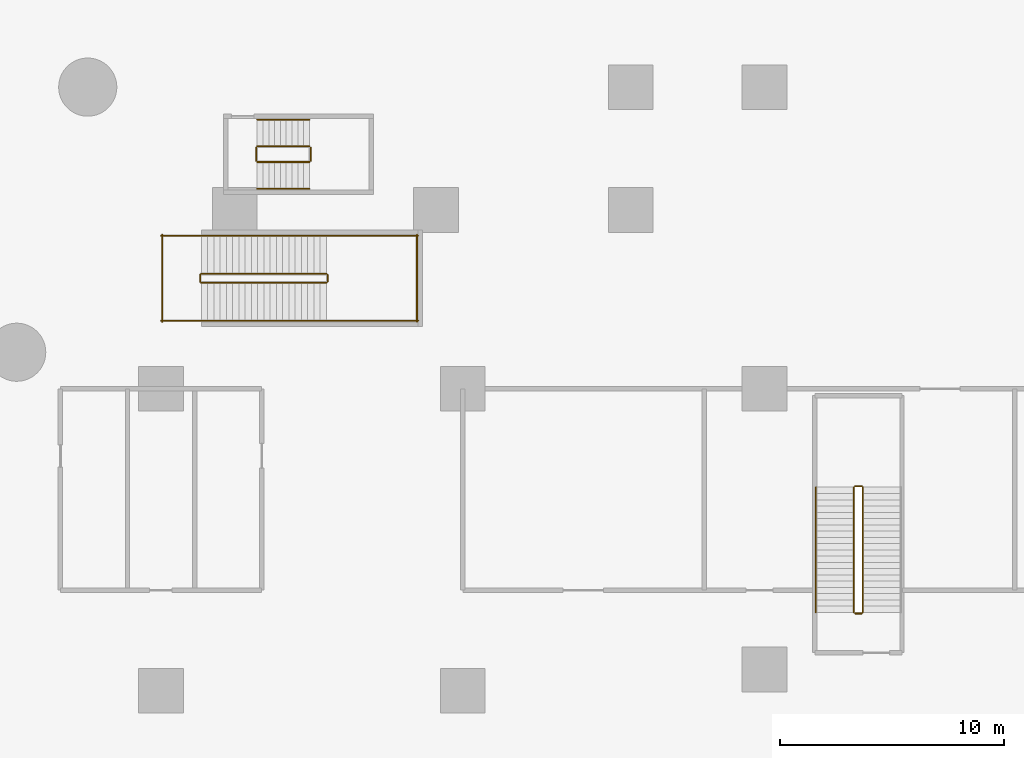
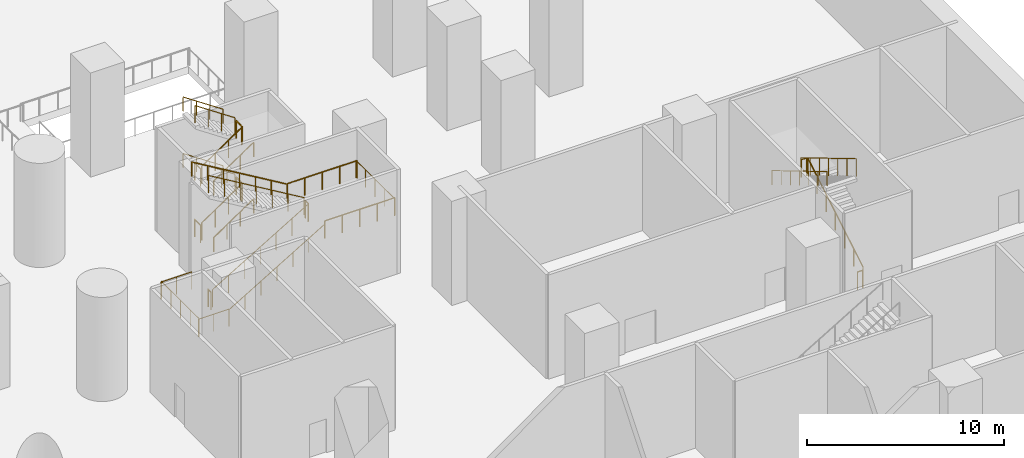
# One storey, part 27 of 37: 29 railings.
"""IFC4 building model written with IfcOpenShell, lengths in metres."""

from ifc_helpers import new_model, si_unit, direction, frame, origin, origin_2d, place, context, subcontext, project, spatial, circle, extrude, material, type_object, element, save


model = new_model("IFC4")

# Units and contexts
model_context = context("Model", 3, precision=1e-05, world=origin(), true_north=direction((0.0, 1.0)))
body_context = subcontext(model_context, "Body", "Model", "MODEL_VIEW")
ifc_project = project(units=[si_unit("LENGTHUNIT", "METRE"), si_unit("AREAUNIT", "SQUARE_METRE"), si_unit("VOLUMEUNIT", "CUBIC_METRE"), si_unit("PLANEANGLEUNIT", "RADIAN"), si_unit("MASSUNIT", "GRAM", prefix="KILO")], contexts=[model_context])

# Site, building, storey
site_placement = place(None, origin())
site = spatial("IfcSite", under=ifc_project, at=site_placement, CompositionType="ELEMENT")
building_placement = place(site_placement, origin())
building = spatial("IfcBuilding", under=site, at=building_placement, Name="Tamarind Cross Interchange Tower", CompositionType="ELEMENT")
storey_placement = place(building_placement, frame((0.0, 0.0, -7.0)))
storey = spatial("IfcBuildingStorey", under=building, at=storey_placement, Name="B1", CompositionType="ELEMENT", Elevation=-7.0)

# Railings
ifc_material_1 = material(Name="Public stair guard")
railing_type_1 = type_object("IfcRailingType", Name="Public stair guard", PredefinedType="GUARDRAIL", material=ifc_material_1)
railing_1_placement = place(storey_placement, frame((28.800048828125, -8.75, 0.166748046875)))
element("IfcRailing", 1, at=railing_1_placement, inside=storey, type_object=railing_type_1, Name="B1 PS-E stair guard 1", PredefinedType="GUARDRAIL", context=body_context, shape_type="SweptSolid", body=[
    extrude(circle(Radius=0.02392578125, at=origin_2d()), frame((0.0, 0.0, 1.076171875), z_axis=(0.859292492371, 0.0, 0.511484518392), x_axis=(0.0, 1.0, 0.0)), (0.0, 0.0, 1.0), 6.516845703125),
    extrude(circle(Radius=0.02099609375, at=origin_2d()), origin(), (0.0, 0.0, 1.0), 1.052001953125),
    extrude(circle(Radius=0.02099609375, at=origin_2d()), frame((0.933349609375, 0.0, 0.5556640625)), (0.0, 0.0, 1.0), 1.052001953125),
    extrude(circle(Radius=0.02099609375, at=origin_2d()), frame((1.86669921875, 0.0, 1.111083984375)), (0.0, 0.0, 1.0), 1.052001953125),
    extrude(circle(Radius=0.02099609375, at=origin_2d()), frame((2.7998046875, 0.0, 1.66650390625)), (0.0, 0.0, 1.0), 1.052001953125),
    extrude(circle(Radius=0.02099609375, at=origin_2d()), frame((3.733154296875, 0.0, 2.22216796875)), (0.0, 0.0, 1.0), 1.052001953125),
    extrude(circle(Radius=0.02099609375, at=origin_2d()), frame((4.66650390625, 0.0, 2.77783203125)), (0.0, 0.0, 1.0), 1.052001953125),
    extrude(circle(Radius=0.02099609375, at=origin_2d()), frame((5.599853515625, 0.0, 3.333251953125)), (0.0, 0.0, 1.0), 1.052001953125),
])
railing_2_placement = place(storey_placement, frame((34.449951171875, -8.699951171875, 3.5)))
element("IfcRailing", 2, at=railing_2_placement, inside=storey, type_object=railing_type_1, Name="B1 PS-E stair guard 2", PredefinedType="GUARDRAIL", context=body_context, shape_type="SweptSolid", body=[
    extrude(circle(Radius=0.02392578125, at=origin_2d()), frame((0.0, 0.0, 1.076171875), z_axis=(0.0, 1.0, 0.0), x_axis=(-1.0, 0.0, 0.0)), (0.0, 0.0, 1.0), 0.300048828125),
    extrude(circle(Radius=0.02099609375, at=origin_2d()), origin(), (0.0, 0.0, 1.0), 1.052001953125),
    extrude(circle(Radius=0.02099609375, at=origin_2d()), frame((0.0, 0.300048828125, 0.0)), (0.0, 0.0, 1.0), 1.052001953125),
])
for number, where, name in (
    (3, (34.39990234375, -10.449951171875, 3.5), "B1 PS-E stair guard 3"),
    (4, (34.39990234375, -6.64990234375, 3.5), "B1 PS-E stair guard 4"),
):
    element("IfcRailing", number, at=place(storey_placement, frame(where)), inside=storey, type_object=railing_type_1, Name=name, PredefinedType="GUARDRAIL", context=body_context, shape_type="SweptSolid", body=[
        extrude(circle(Radius=0.02392578125, at=origin_2d()), frame((0.0, 0.0, 1.076171875), z_axis=(1.0, 0.0, 0.0), x_axis=(0.0, 1.0, 0.0)), (0.0, 0.0, 1.0), 4.10009765625),
        extrude(circle(Radius=0.02099609375, at=origin_2d()), origin(), (0.0, 0.0, 1.0), 1.052001953125),
        extrude(circle(Radius=0.02099609375, at=origin_2d()), frame((1.02490234375, 0.0, 0.0)), (0.0, 0.0, 1.0), 1.052001953125),
        extrude(circle(Radius=0.02099609375, at=origin_2d()), frame((2.050048828125, 0.0, 0.0)), (0.0, 0.0, 1.0), 1.052001953125),
        extrude(circle(Radius=0.02099609375, at=origin_2d()), frame((3.0751953125, 0.0, 0.0)), (0.0, 0.0, 1.0), 1.052001953125),
        extrude(circle(Radius=0.02099609375, at=origin_2d()), frame((4.10009765625, 0.0, 0.0)), (0.0, 0.0, 1.0), 1.052001953125),
    ])
railing_3_placement = place(storey_placement, frame((38.449951171875, -10.5, 3.5)))
element("IfcRailing", 5, at=railing_3_placement, inside=storey, type_object=railing_type_1, Name="B1 PS-E stair guard 5", PredefinedType="GUARDRAIL", context=body_context, shape_type="SweptSolid", body=[
    extrude(circle(Radius=0.02392578125, at=origin_2d()), frame((0.0, 0.0, 1.076171875), z_axis=(0.0, 1.0, 0.0), x_axis=(-1.0, 0.0, 0.0)), (0.0, 0.0, 1.0), 3.89990234375),
    extrude(circle(Radius=0.02099609375, at=origin_2d()), origin(), (0.0, 0.0, 1.0), 1.052001953125),
    extrude(circle(Radius=0.02099609375, at=origin_2d()), frame((0.0, 0.97509765625, 0.0)), (0.0, 0.0, 1.0), 1.052001953125),
    extrude(circle(Radius=0.02099609375, at=origin_2d()), frame((0.0, 1.949951171875, 0.0)), (0.0, 0.0, 1.0), 1.052001953125),
    extrude(circle(Radius=0.02099609375, at=origin_2d()), frame((0.0, 2.9248046875, 0.0)), (0.0, 0.0, 1.0), 1.052001953125),
    extrude(circle(Radius=0.02099609375, at=origin_2d()), frame((0.0, 3.89990234375, 0.0)), (0.0, 0.0, 1.0), 1.052001953125),
])
railing_4_placement = place(storey_placement, frame((34.39990234375, -8.35009765625, 3.666748046875)))
element("IfcRailing", 6, at=railing_4_placement, inside=storey, type_object=railing_type_1, Name="B1 PS-E stair guard 6", PredefinedType="GUARDRAIL", context=body_context, shape_type="SweptSolid", body=[
    extrude(circle(Radius=0.02392578125, at=origin_2d()), frame((0.0, 0.0, 1.076171875), z_axis=(-0.859292492371, 0.0, 0.511484518392), x_axis=(0.0, -1.0, 0.0)), (0.0, 0.0, 1.0), 6.516845703125),
    extrude(circle(Radius=0.02099609375, at=origin_2d()), origin(), (0.0, 0.0, 1.0), 1.052001953125),
    extrude(circle(Radius=0.02099609375, at=origin_2d()), frame((-0.933349609375, 0.0, 0.5556640625)), (0.0, 0.0, 1.0), 1.052001953125),
    extrude(circle(Radius=0.02099609375, at=origin_2d()), frame((-1.86669921875, 0.0, 1.111083984375)), (0.0, 0.0, 1.0), 1.052001953125),
    extrude(circle(Radius=0.02099609375, at=origin_2d()), frame((-2.7998046875, 0.0, 1.66650390625)), (0.0, 0.0, 1.0), 1.052001953125),
    extrude(circle(Radius=0.02099609375, at=origin_2d()), frame((-3.733154296875, 0.0, 2.22216796875)), (0.0, 0.0, 1.0), 1.052001953125),
    extrude(circle(Radius=0.02099609375, at=origin_2d()), frame((-4.66650390625, 0.0, 2.77783203125)), (0.0, 0.0, 1.0), 1.052001953125),
    extrude(circle(Radius=0.02099609375, at=origin_2d()), frame((-5.599853515625, 0.0, 3.333251953125)), (0.0, 0.0, 1.0), 1.052001953125),
])
railing_5_placement = place(storey_placement, frame((28.75, -8.699951171875, 0.0)))
element("IfcRailing", 7, at=railing_5_placement, inside=storey, type_object=railing_type_1, Name="B1 PS-E stair guard 7", PredefinedType="GUARDRAIL", context=body_context, shape_type="SweptSolid", body=[
    extrude(circle(Radius=0.02392578125, at=origin_2d()), frame((0.0, 0.0, 1.076171875), z_axis=(0.0, 1.0, 0.0), x_axis=(-1.0, 0.0, 0.0)), (0.0, 0.0, 1.0), 0.300048828125),
    extrude(circle(Radius=0.02099609375, at=origin_2d()), origin(), (0.0, 0.0, 1.0), 1.052001953125),
    extrude(circle(Radius=0.02099609375, at=origin_2d()), frame((0.0, 0.300048828125, 0.0)), (0.0, 0.0, 1.0), 1.052001953125),
])
for number, where, name in (
    (8, (27.0, -10.449951171875, 0.0), "B1 PS-E stair guard 8"),
    (9, (27.0, -6.64990234375, 0.0), "B1 PS-E stair guard 9"),
):
    element("IfcRailing", number, at=place(storey_placement, frame(where)), inside=storey, type_object=railing_type_1, Name=name, PredefinedType="GUARDRAIL", context=body_context, shape_type="SweptSolid", body=[
        extrude(circle(Radius=0.02392578125, at=origin_2d()), frame((0.0, 0.0, 1.076171875), z_axis=(1.0, 0.0, 0.0), x_axis=(0.0, 1.0, 0.0)), (0.0, 0.0, 1.0), 1.800048828125),
        extrude(circle(Radius=0.02099609375, at=origin_2d()), origin(), (0.0, 0.0, 1.0), 1.052001953125),
        extrude(circle(Radius=0.02099609375, at=origin_2d()), frame((0.89990234375, 0.0, 0.0)), (0.0, 0.0, 1.0), 1.052001953125),
        extrude(circle(Radius=0.02099609375, at=origin_2d()), frame((1.800048828125, 0.0, 0.0)), (0.0, 0.0, 1.0), 1.052001953125),
    ])
railing_6_placement = place(storey_placement, frame((27.050048828125, -10.5, 0.0)))
element("IfcRailing", 10, at=railing_6_placement, inside=storey, type_object=railing_type_1, Name="B1 PS-E stair guard 10", PredefinedType="GUARDRAIL", context=body_context, shape_type="SweptSolid", body=[
    extrude(circle(Radius=0.02392578125, at=origin_2d()), frame((0.0, 0.0, 1.076171875), z_axis=(0.0, 1.0, 0.0), x_axis=(-1.0, 0.0, 0.0)), (0.0, 0.0, 1.0), 3.89990234375),
    extrude(circle(Radius=0.02099609375, at=origin_2d()), origin(), (0.0, 0.0, 1.0), 1.052001953125),
    extrude(circle(Radius=0.02099609375, at=origin_2d()), frame((0.0, 0.97509765625, 0.0)), (0.0, 0.0, 1.0), 1.052001953125),
    extrude(circle(Radius=0.02099609375, at=origin_2d()), frame((0.0, 1.949951171875, 0.0)), (0.0, 0.0, 1.0), 1.052001953125),
    extrude(circle(Radius=0.02099609375, at=origin_2d()), frame((0.0, 2.9248046875, 0.0)), (0.0, 0.0, 1.0), 1.052001953125),
    extrude(circle(Radius=0.02099609375, at=origin_2d()), frame((0.0, 3.89990234375, 0.0)), (0.0, 0.0, 1.0), 1.052001953125),
])
railing_7_placement = place(storey_placement, frame((58.39990234375, -23.5, 0.166748046875)))
element("IfcRailing", 11, at=railing_7_placement, inside=storey, type_object=railing_type_1, Name="B1 XS-P11 stair guard 1", PredefinedType="GUARDRAIL", context=body_context, shape_type="SweptSolid", body=[
    extrude(circle(Radius=0.02392578125, at=origin_2d()), frame((0.0, 0.0, 1.076171875), z_axis=(0.0, 0.859302292876, 0.511468053214), x_axis=(-1.0, 0.0, 0.0)), (0.0, 0.0, 1.0), 6.51708984375),
    extrude(circle(Radius=0.02099609375, at=origin_2d()), origin(), (0.0, 0.0, 1.0), 1.052001953125),
    extrude(circle(Radius=0.02099609375, at=origin_2d()), frame((0.0, 0.933349609375, 0.5556640625)), (0.0, 0.0, 1.0), 1.052001953125),
    extrude(circle(Radius=0.02099609375, at=origin_2d()), frame((0.0, 1.86669921875, 1.111083984375)), (0.0, 0.0, 1.0), 1.052001953125),
    extrude(circle(Radius=0.02099609375, at=origin_2d()), frame((0.0, 2.800048828125, 1.66650390625)), (0.0, 0.0, 1.0), 1.052001953125),
    extrude(circle(Radius=0.02099609375, at=origin_2d()), frame((0.0, 3.7333984375, 2.22216796875)), (0.0, 0.0, 1.0), 1.052001953125),
    extrude(circle(Radius=0.02099609375, at=origin_2d()), frame((0.0, 4.666748046875, 2.77783203125)), (0.0, 0.0, 1.0), 1.052001953125),
    extrude(circle(Radius=0.02099609375, at=origin_2d()), frame((0.0, 5.60009765625, 3.333251953125)), (0.0, 0.0, 1.0), 1.052001953125),
])
railing_8_placement = place(storey_placement, frame((58.35009765625, -17.85009765625, 3.5)))
element("IfcRailing", 12, at=railing_8_placement, inside=storey, type_object=railing_type_1, Name="B1 XS-P11 stair guard 2", PredefinedType="GUARDRAIL", context=body_context, shape_type="SweptSolid", body=[
    extrude(circle(Radius=0.02392578125, at=origin_2d()), frame((0.0, 0.0, 1.076171875), z_axis=(-1.0, 0.0, 0.0), x_axis=(0.0, -1.0, 0.0)), (0.0, 0.0, 1.0), 0.300048828125),
    extrude(circle(Radius=0.02099609375, at=origin_2d()), origin(), (0.0, 0.0, 1.0), 1.052001953125),
    extrude(circle(Radius=0.02099609375, at=origin_2d()), frame((-0.300048828125, 0.0, 0.0)), (0.0, 0.0, 1.0), 1.052001953125),
])
railing_9_placement = place(storey_placement, frame((58.0, -17.89990234375, 3.666748046875)))
element("IfcRailing", 13, at=railing_9_placement, inside=storey, type_object=railing_type_1, Name="B1 XS-P11 stair guard 3", PredefinedType="GUARDRAIL", context=body_context, shape_type="SweptSolid", body=[
    extrude(circle(Radius=0.02392578125, at=origin_2d()), frame((0.0, 0.0, 1.076171875), z_axis=(0.0, -0.859302292876, 0.511468053214), x_axis=(1.0, 0.0, 0.0)), (0.0, 0.0, 1.0), 6.51708984375),
    extrude(circle(Radius=0.02099609375, at=origin_2d()), origin(), (0.0, 0.0, 1.0), 1.052001953125),
    extrude(circle(Radius=0.02099609375, at=origin_2d()), frame((0.0, -0.933349609375, 0.5556640625)), (0.0, 0.0, 1.0), 1.052001953125),
    extrude(circle(Radius=0.02099609375, at=origin_2d()), frame((0.0, -1.86669921875, 1.111083984375)), (0.0, 0.0, 1.0), 1.052001953125),
    extrude(circle(Radius=0.02099609375, at=origin_2d()), frame((0.0, -2.800048828125, 1.66650390625)), (0.0, 0.0, 1.0), 1.052001953125),
    extrude(circle(Radius=0.02099609375, at=origin_2d()), frame((0.0, -3.7333984375, 2.22216796875)), (0.0, 0.0, 1.0), 1.052001953125),
    extrude(circle(Radius=0.02099609375, at=origin_2d()), frame((0.0, -4.666748046875, 2.77783203125)), (0.0, 0.0, 1.0), 1.052001953125),
    extrude(circle(Radius=0.02099609375, at=origin_2d()), frame((0.0, -5.60009765625, 3.333251953125)), (0.0, 0.0, 1.0), 1.052001953125),
])
railing_10_placement = place(storey_placement, frame((58.35009765625, -23.550048828125, 0.0)))
element("IfcRailing", 14, at=railing_10_placement, inside=storey, type_object=railing_type_1, Name="B1 XS-P11 stair guard 4", PredefinedType="GUARDRAIL", context=body_context, shape_type="SweptSolid", body=[
    extrude(circle(Radius=0.02392578125, at=origin_2d()), frame((0.0, 0.0, 1.076171875), z_axis=(-1.0, 0.0, 0.0), x_axis=(0.0, -1.0, 0.0)), (0.0, 0.0, 1.0), 0.300048828125),
    extrude(circle(Radius=0.02099609375, at=origin_2d()), origin(), (0.0, 0.0, 1.0), 1.052001953125),
    extrude(circle(Radius=0.02099609375, at=origin_2d()), frame((-0.300048828125, 0.0, 0.0)), (0.0, 0.0, 1.0), 1.052001953125),
])
ifc_material_2 = material(Name="Public stair handrail")
railing_type_2 = type_object("IfcRailingType", Name="Public stair handrail", PredefinedType="HANDRAIL", material=ifc_material_2)
railing_11_placement = place(storey_placement, frame((28.800048828125, -10.449951171875, 0.166748046875)))
element("IfcRailing", 15, at=railing_11_placement, inside=storey, type_object=railing_type_2, Name="B1 PS-E stair handrail 1", PredefinedType="HANDRAIL", context=body_context, shape_type="SweptSolid", body=[
    extrude(circle(Radius=0.02392578125, at=origin_2d()), frame((0.0, 0.0, 0.8759765625), z_axis=(0.859292492371, 0.0, 0.511484518392), x_axis=(0.0, 1.0, 0.0)), (0.0, 0.0, 1.0), 6.516845703125),
    extrude(circle(Radius=0.02099609375, at=origin_2d()), origin(), (0.0, 0.0, 1.0), 0.851806640625),
    extrude(circle(Radius=0.02099609375, at=origin_2d()), frame((0.933349609375, 0.0, 0.5556640625)), (0.0, 0.0, 1.0), 0.851806640625),
    extrude(circle(Radius=0.02099609375, at=origin_2d()), frame((1.86669921875, 0.0, 1.111083984375)), (0.0, 0.0, 1.0), 0.851806640625),
    extrude(circle(Radius=0.02099609375, at=origin_2d()), frame((2.7998046875, 0.0, 1.66650390625)), (0.0, 0.0, 1.0), 0.851806640625),
    extrude(circle(Radius=0.02099609375, at=origin_2d()), frame((3.733154296875, 0.0, 2.22216796875)), (0.0, 0.0, 1.0), 0.851806640625),
    extrude(circle(Radius=0.02099609375, at=origin_2d()), frame((4.66650390625, 0.0, 2.77783203125)), (0.0, 0.0, 1.0), 0.851806640625),
    extrude(circle(Radius=0.02099609375, at=origin_2d()), frame((5.599853515625, 0.0, 3.333251953125)), (0.0, 0.0, 1.0), 0.851806640625),
])
railing_12_placement = place(storey_placement, frame((34.39990234375, -6.64990234375, 3.666748046875)))
element("IfcRailing", 16, at=railing_12_placement, inside=storey, type_object=railing_type_2, Name="B1 PS-E stair handrail 2", PredefinedType="HANDRAIL", context=body_context, shape_type="SweptSolid", body=[
    extrude(circle(Radius=0.02392578125, at=origin_2d()), frame((0.0, 0.0, 0.8759765625), z_axis=(-0.859292492371, 0.0, 0.511484518392), x_axis=(0.0, -1.0, 0.0)), (0.0, 0.0, 1.0), 6.516845703125),
    extrude(circle(Radius=0.02099609375, at=origin_2d()), origin(), (0.0, 0.0, 1.0), 0.851806640625),
    extrude(circle(Radius=0.02099609375, at=origin_2d()), frame((-0.933349609375, 0.0, 0.5556640625)), (0.0, 0.0, 1.0), 0.851806640625),
    extrude(circle(Radius=0.02099609375, at=origin_2d()), frame((-1.86669921875, 0.0, 1.111083984375)), (0.0, 0.0, 1.0), 0.851806640625),
    extrude(circle(Radius=0.02099609375, at=origin_2d()), frame((-2.7998046875, 0.0, 1.66650390625)), (0.0, 0.0, 1.0), 0.851806640625),
    extrude(circle(Radius=0.02099609375, at=origin_2d()), frame((-3.733154296875, 0.0, 2.22216796875)), (0.0, 0.0, 1.0), 0.851806640625),
    extrude(circle(Radius=0.02099609375, at=origin_2d()), frame((-4.66650390625, 0.0, 2.77783203125)), (0.0, 0.0, 1.0), 0.851806640625),
    extrude(circle(Radius=0.02099609375, at=origin_2d()), frame((-5.599853515625, 0.0, 3.333251953125)), (0.0, 0.0, 1.0), 0.851806640625),
])
railing_13_placement = place(storey_placement, frame((56.300048828125, -17.89990234375, 3.666748046875)))
element("IfcRailing", 17, at=railing_13_placement, inside=storey, type_object=railing_type_2, Name="B1 XS-P11 stair handrail 2", PredefinedType="HANDRAIL", context=body_context, shape_type="SweptSolid", body=[
    extrude(circle(Radius=0.02392578125, at=origin_2d()), frame((0.0, 0.0, 0.8759765625), z_axis=(0.0, -0.859302292876, 0.511468053214), x_axis=(1.0, 0.0, 0.0)), (0.0, 0.0, 1.0), 6.51708984375),
    extrude(circle(Radius=0.02099609375, at=origin_2d()), origin(), (0.0, 0.0, 1.0), 0.851806640625),
    extrude(circle(Radius=0.02099609375, at=origin_2d()), frame((0.0, -0.933349609375, 0.5556640625)), (0.0, 0.0, 1.0), 0.851806640625),
    extrude(circle(Radius=0.02099609375, at=origin_2d()), frame((0.0, -1.86669921875, 1.111083984375)), (0.0, 0.0, 1.0), 0.851806640625),
    extrude(circle(Radius=0.02099609375, at=origin_2d()), frame((0.0, -2.800048828125, 1.66650390625)), (0.0, 0.0, 1.0), 0.851806640625),
    extrude(circle(Radius=0.02099609375, at=origin_2d()), frame((0.0, -3.7333984375, 2.22216796875)), (0.0, 0.0, 1.0), 0.851806640625),
    extrude(circle(Radius=0.02099609375, at=origin_2d()), frame((0.0, -4.666748046875, 2.77783203125)), (0.0, 0.0, 1.0), 0.851806640625),
    extrude(circle(Radius=0.02099609375, at=origin_2d()), frame((0.0, -5.60009765625, 3.333251953125)), (0.0, 0.0, 1.0), 0.851806640625),
])
ifc_material_3 = material(Name="Stair guard")
railing_type_3 = type_object("IfcRailingType", Name="Stair guard", PredefinedType="GUARDRAIL", material=ifc_material_3)
railing_14_placement = place(storey_placement, frame((31.300048828125, -3.35009765625, 0.175048828125)))
element("IfcRailing", 18, at=railing_14_placement, inside=storey, type_object=railing_type_3, Name="B1 ST3 stair guard 1", PredefinedType="GUARDRAIL", context=body_context, shape_type="SweptSolid", body=[
    extrude(circle(Radius=0.02392578125, at=origin_2d()), frame((0.0, 0.0, 1.076171875), z_axis=(0.829578494604, 0.0, 0.558390115681), x_axis=(0.0, 1.0, 0.0)), (0.0, 0.0, 1.0), 2.820556640625),
    extrude(circle(Radius=0.02099609375, at=origin_2d()), origin(), (0.0, 0.0, 1.0), 1.052001953125),
    extrude(circle(Radius=0.02099609375, at=origin_2d()), frame((0.780029296875, 0.0, 0.52490234375)), (0.0, 0.0, 1.0), 1.052001953125),
    extrude(circle(Radius=0.02099609375, at=origin_2d()), frame((1.559814453125, 0.0, 1.050048828125)), (0.0, 0.0, 1.0), 1.052001953125),
    extrude(circle(Radius=0.02099609375, at=origin_2d()), frame((2.33984375, 0.0, 1.574951171875)), (0.0, 0.0, 1.0), 1.052001953125),
])
railing_15_placement = place(storey_placement, frame((33.68994140625, -3.300048828125, 1.75)))
element("IfcRailing", 19, at=railing_15_placement, inside=storey, type_object=railing_type_3, Name="B1 ST3 stair guard 2", PredefinedType="GUARDRAIL", context=body_context, shape_type="SweptSolid", body=[
    extrude(circle(Radius=0.02392578125, at=origin_2d()), frame((0.0, 0.0, 1.076171875), z_axis=(0.0, 1.0, 0.0), x_axis=(-1.0, 0.0, 0.0)), (0.0, 0.0, 1.0), 0.60009765625),
    extrude(circle(Radius=0.02099609375, at=origin_2d()), origin(), (0.0, 0.0, 1.0), 1.052001953125),
    extrude(circle(Radius=0.02099609375, at=origin_2d()), frame((0.0, 0.60009765625, 0.0)), (0.0, 0.0, 1.0), 1.052001953125),
])
railing_16_placement = place(storey_placement, frame((33.639892578125, -2.64990234375, 1.925048828125)))
element("IfcRailing", 20, at=railing_16_placement, inside=storey, type_object=railing_type_3, Name="B1 ST3 stair guard 3", PredefinedType="GUARDRAIL", context=body_context, shape_type="SweptSolid", body=[
    extrude(circle(Radius=0.02392578125, at=origin_2d()), frame((0.0, 0.0, 1.076171875), z_axis=(-0.829578494604, 0.0, 0.558390115681), x_axis=(0.0, -1.0, 0.0)), (0.0, 0.0, 1.0), 2.820556640625),
    extrude(circle(Radius=0.02099609375, at=origin_2d()), origin(), (0.0, 0.0, 1.0), 1.052001953125),
    extrude(circle(Radius=0.02099609375, at=origin_2d()), frame((-0.780029296875, 0.0, 0.52490234375)), (0.0, 0.0, 1.0), 1.052001953125),
    extrude(circle(Radius=0.02099609375, at=origin_2d()), frame((-1.559814453125, 0.0, 1.050048828125)), (0.0, 0.0, 1.0), 1.052001953125),
    extrude(circle(Radius=0.02099609375, at=origin_2d()), frame((-2.33984375, 0.0, 1.574951171875)), (0.0, 0.0, 1.0), 1.052001953125),
])
railing_17_placement = place(storey_placement, frame((31.25, -3.300048828125, 3.5)))
element("IfcRailing", 21, at=railing_17_placement, inside=storey, type_object=railing_type_3, Name="B1 ST3 stair guard 4", PredefinedType="GUARDRAIL", context=body_context, shape_type="SweptSolid", body=[
    extrude(circle(Radius=0.02392578125, at=origin_2d()), frame((0.0, 0.0, 1.076171875), z_axis=(0.0, 1.0, 0.0), x_axis=(-1.0, 0.0, 0.0)), (0.0, 0.0, 1.0), 0.60009765625),
    extrude(circle(Radius=0.02099609375, at=origin_2d()), origin(), (0.0, 0.0, 1.0), 1.052001953125),
    extrude(circle(Radius=0.02099609375, at=origin_2d()), frame((0.0, 0.60009765625, 0.0)), (0.0, 0.0, 1.0), 1.052001953125),
])
railing_18_placement = place(storey_placement, frame((31.300048828125, -3.35009765625, 3.675048828125)))
element("IfcRailing", 22, at=railing_18_placement, inside=storey, type_object=railing_type_3, Name="B1 ST3 stair guard 5", PredefinedType="GUARDRAIL", context=body_context, shape_type="SweptSolid", body=[
    extrude(circle(Radius=0.02392578125, at=origin_2d()), frame((0.0, 0.0, 1.076171875), z_axis=(0.829578494604, 0.0, 0.558390115681), x_axis=(0.0, 1.0, 0.0)), (0.0, 0.0, 1.0), 2.820556640625),
    extrude(circle(Radius=0.02099609375, at=origin_2d()), origin(), (0.0, 0.0, 1.0), 1.052001953125),
    extrude(circle(Radius=0.02099609375, at=origin_2d()), frame((0.780029296875, 0.0, 0.52490234375)), (0.0, 0.0, 1.0), 1.052001953125),
    extrude(circle(Radius=0.02099609375, at=origin_2d()), frame((1.559814453125, 0.0, 1.050048828125)), (0.0, 0.0, 1.0), 1.052001953125),
    extrude(circle(Radius=0.02099609375, at=origin_2d()), frame((2.33984375, 0.0, 1.574951171875)), (0.0, 0.0, 1.0), 1.052001953125),
])
railing_19_placement = place(storey_placement, frame((33.68994140625, -3.300048828125, 5.25)))
element("IfcRailing", 23, at=railing_19_placement, inside=storey, type_object=railing_type_3, Name="B1 ST3 stair guard 6", PredefinedType="GUARDRAIL", context=body_context, shape_type="SweptSolid", body=[
    extrude(circle(Radius=0.02392578125, at=origin_2d()), frame((0.0, 0.0, 1.076171875), z_axis=(0.0, 1.0, 0.0), x_axis=(-1.0, 0.0, 0.0)), (0.0, 0.0, 1.0), 0.60009765625),
    extrude(circle(Radius=0.02099609375, at=origin_2d()), origin(), (0.0, 0.0, 1.0), 1.052001953125),
    extrude(circle(Radius=0.02099609375, at=origin_2d()), frame((0.0, 0.60009765625, 0.0)), (0.0, 0.0, 1.0), 1.052001953125),
])
railing_20_placement = place(storey_placement, frame((33.639892578125, -2.64990234375, 5.425048828125)))
element("IfcRailing", 24, at=railing_20_placement, inside=storey, type_object=railing_type_3, Name="B1 ST3 stair guard 7", PredefinedType="GUARDRAIL", context=body_context, shape_type="SweptSolid", body=[
    extrude(circle(Radius=0.02392578125, at=origin_2d()), frame((0.0, 0.0, 1.076171875), z_axis=(-0.829578494604, 0.0, 0.558390115681), x_axis=(0.0, -1.0, 0.0)), (0.0, 0.0, 1.0), 2.820556640625),
    extrude(circle(Radius=0.02099609375, at=origin_2d()), origin(), (0.0, 0.0, 1.0), 1.052001953125),
    extrude(circle(Radius=0.02099609375, at=origin_2d()), frame((-0.780029296875, 0.0, 0.52490234375)), (0.0, 0.0, 1.0), 1.052001953125),
    extrude(circle(Radius=0.02099609375, at=origin_2d()), frame((-1.559814453125, 0.0, 1.050048828125)), (0.0, 0.0, 1.0), 1.052001953125),
    extrude(circle(Radius=0.02099609375, at=origin_2d()), frame((-2.33984375, 0.0, 1.574951171875)), (0.0, 0.0, 1.0), 1.052001953125),
])
railing_21_placement = place(storey_placement, frame((31.25, -3.300048828125, 0.0)))
element("IfcRailing", 25, at=railing_21_placement, inside=storey, type_object=railing_type_3, Name="B1 ST3 stair guard 8", PredefinedType="GUARDRAIL", context=body_context, shape_type="SweptSolid", body=[
    extrude(circle(Radius=0.02392578125, at=origin_2d()), frame((0.0, 0.0, 1.076171875), z_axis=(0.0, 1.0, 0.0), x_axis=(-1.0, 0.0, 0.0)), (0.0, 0.0, 1.0), 0.60009765625),
    extrude(circle(Radius=0.02099609375, at=origin_2d()), origin(), (0.0, 0.0, 1.0), 1.052001953125),
    extrude(circle(Radius=0.02099609375, at=origin_2d()), frame((0.0, 0.60009765625, 0.0)), (0.0, 0.0, 1.0), 1.052001953125),
])
ifc_material_4 = material(Name="Stair handrail")
railing_type_4 = type_object("IfcRailingType", Name="Stair handrail", PredefinedType="HANDRAIL", material=ifc_material_4)
railing_22_placement = place(storey_placement, frame((31.300048828125, -4.550048828125, 0.175048828125)))
element("IfcRailing", 26, at=railing_22_placement, inside=storey, type_object=railing_type_4, Name="B1 ST3 stair handrail 1", PredefinedType="HANDRAIL", context=body_context, shape_type="SweptSolid", body=[
    extrude(circle(Radius=0.02392578125, at=origin_2d()), frame((0.0, 0.0, 0.8759765625), z_axis=(0.829578494604, 0.0, 0.558390115681), x_axis=(0.0, 1.0, 0.0)), (0.0, 0.0, 1.0), 2.820556640625),
    extrude(circle(Radius=0.02099609375, at=origin_2d()), origin(), (0.0, 0.0, 1.0), 0.851806640625),
    extrude(circle(Radius=0.02099609375, at=origin_2d()), frame((0.780029296875, 0.0, 0.52490234375)), (0.0, 0.0, 1.0), 0.851806640625),
    extrude(circle(Radius=0.02099609375, at=origin_2d()), frame((1.559814453125, 0.0, 1.050048828125)), (0.0, 0.0, 1.0), 0.851806640625),
    extrude(circle(Radius=0.02099609375, at=origin_2d()), frame((2.33984375, 0.0, 1.574951171875)), (0.0, 0.0, 1.0), 0.851806640625),
])
railing_23_placement = place(storey_placement, frame((33.639892578125, -1.449951171875, 1.925048828125)))
element("IfcRailing", 27, at=railing_23_placement, inside=storey, type_object=railing_type_4, Name="B1 ST3 stair handrail 2", PredefinedType="HANDRAIL", context=body_context, shape_type="SweptSolid", body=[
    extrude(circle(Radius=0.02392578125, at=origin_2d()), frame((0.0, 0.0, 0.8759765625), z_axis=(-0.829578494604, 0.0, 0.558390115681), x_axis=(0.0, -1.0, 0.0)), (0.0, 0.0, 1.0), 2.820556640625),
    extrude(circle(Radius=0.02099609375, at=origin_2d()), origin(), (0.0, 0.0, 1.0), 0.851806640625),
    extrude(circle(Radius=0.02099609375, at=origin_2d()), frame((-0.780029296875, 0.0, 0.52490234375)), (0.0, 0.0, 1.0), 0.851806640625),
    extrude(circle(Radius=0.02099609375, at=origin_2d()), frame((-1.559814453125, 0.0, 1.050048828125)), (0.0, 0.0, 1.0), 0.851806640625),
    extrude(circle(Radius=0.02099609375, at=origin_2d()), frame((-2.33984375, 0.0, 1.574951171875)), (0.0, 0.0, 1.0), 0.851806640625),
])
railing_24_placement = place(storey_placement, frame((31.300048828125, -4.550048828125, 3.675048828125)))
element("IfcRailing", 28, at=railing_24_placement, inside=storey, type_object=railing_type_4, Name="B1 ST3 stair handrail 3", PredefinedType="HANDRAIL", context=body_context, shape_type="SweptSolid", body=[
    extrude(circle(Radius=0.02392578125, at=origin_2d()), frame((0.0, 0.0, 0.8759765625), z_axis=(0.829578494604, 0.0, 0.558390115681), x_axis=(0.0, 1.0, 0.0)), (0.0, 0.0, 1.0), 2.820556640625),
    extrude(circle(Radius=0.02099609375, at=origin_2d()), origin(), (0.0, 0.0, 1.0), 0.851806640625),
    extrude(circle(Radius=0.02099609375, at=origin_2d()), frame((0.780029296875, 0.0, 0.52490234375)), (0.0, 0.0, 1.0), 0.851806640625),
    extrude(circle(Radius=0.02099609375, at=origin_2d()), frame((1.559814453125, 0.0, 1.050048828125)), (0.0, 0.0, 1.0), 0.851806640625),
    extrude(circle(Radius=0.02099609375, at=origin_2d()), frame((2.33984375, 0.0, 1.574951171875)), (0.0, 0.0, 1.0), 0.851806640625),
])
railing_25_placement = place(storey_placement, frame((33.639892578125, -1.449951171875, 5.425048828125)))
element("IfcRailing", 29, at=railing_25_placement, inside=storey, type_object=railing_type_4, Name="B1 ST3 stair handrail 4", PredefinedType="HANDRAIL", context=body_context, shape_type="SweptSolid", body=[
    extrude(circle(Radius=0.02392578125, at=origin_2d()), frame((0.0, 0.0, 0.8759765625), z_axis=(-0.829578494604, 0.0, 0.558390115681), x_axis=(0.0, -1.0, 0.0)), (0.0, 0.0, 1.0), 2.820556640625),
    extrude(circle(Radius=0.02099609375, at=origin_2d()), origin(), (0.0, 0.0, 1.0), 0.851806640625),
    extrude(circle(Radius=0.02099609375, at=origin_2d()), frame((-0.780029296875, 0.0, 0.52490234375)), (0.0, 0.0, 1.0), 0.851806640625),
    extrude(circle(Radius=0.02099609375, at=origin_2d()), frame((-1.559814453125, 0.0, 1.050048828125)), (0.0, 0.0, 1.0), 0.851806640625),
    extrude(circle(Radius=0.02099609375, at=origin_2d()), frame((-2.33984375, 0.0, 1.574951171875)), (0.0, 0.0, 1.0), 0.851806640625),
])

save(model, "model.ifc")
